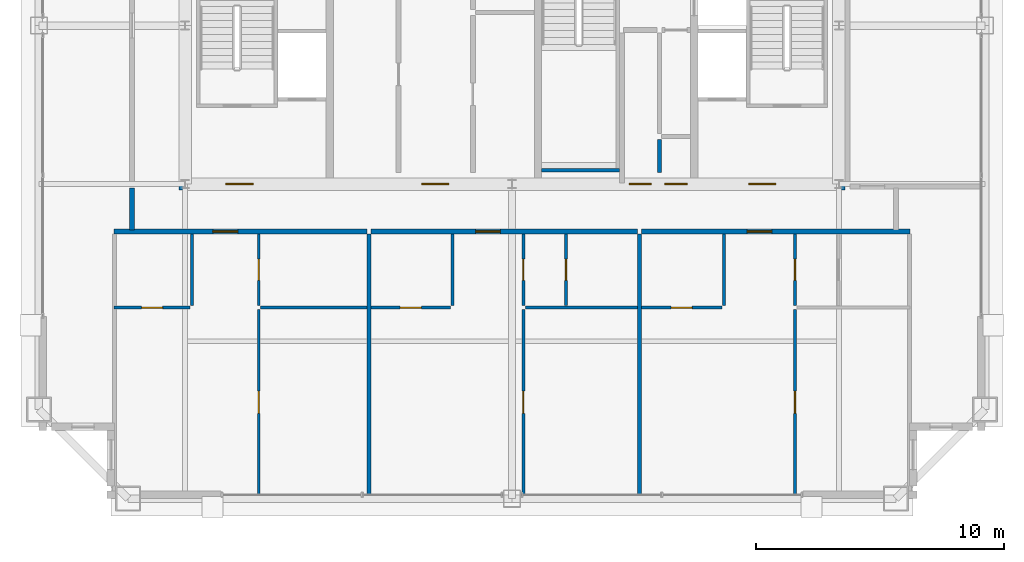
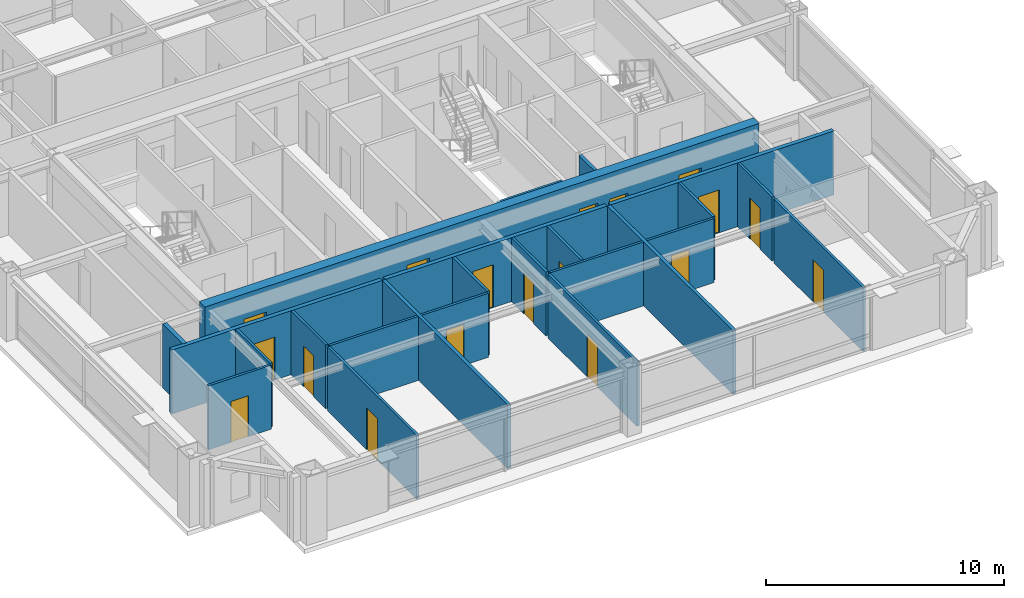
# One storey, part 30 of 35: 24 walls, 18 doors, 18 openings.
"""IFC4 building model written with IfcOpenShell, lengths in metres."""

from ifc_helpers import new_model, si_unit, direction, frame, frame_2d, origin, place, context, subcontext, project, spatial, rectangle, extrude, source, transform, mapped, material, layer, layer_set, type_object, element, fill, save


model = new_model("IFC4")

# Units and contexts
model_context = context("Model", 3, precision=1e-05, world=origin(), true_north=direction((0.0, 1.0)))
body_context = subcontext(model_context, "Body", "Model", "MODEL_VIEW")
ifc_project = project(units=[si_unit("LENGTHUNIT", "METRE"), si_unit("AREAUNIT", "SQUARE_METRE"), si_unit("VOLUMEUNIT", "CUBIC_METRE"), si_unit("PLANEANGLEUNIT", "RADIAN"), si_unit("MASSUNIT", "GRAM", prefix="KILO"), si_unit("THERMODYNAMICTEMPERATUREUNIT", "KELVIN"), si_unit("POWERUNIT", "WATT")], contexts=[model_context])

# Site, building, storey
site_placement = place(None, origin())
site = spatial("IfcSite", under=ifc_project, at=site_placement, CompositionType="ELEMENT")
building_placement = place(site_placement, origin())
building = spatial("IfcBuilding", under=site, at=building_placement, Name="Yuzanri Waterfront Tower", CompositionType="ELEMENT")
storey_placement = place(building_placement, frame((0.0, 0.0, 318.199951171875)))
storey = spatial("IfcBuildingStorey", under=building, at=storey_placement, Name="L85", CompositionType="ELEMENT", Elevation=318.199951171875)

# Wall, opening, door
ifc_material_1 = material(Name="Moisture-Resistant Gypsum Stud Wall", Category="gypsum")
ifc_layer_1 = layer(ifc_material_1, 0.1201171875)
ifc_layer_set_1 = layer_set([ifc_layer_1], Name="Moisture-Resistant Gypsum Stud Wall")
wall_type_1 = type_object("IfcWallType", Name="Bathroom and Kitchen Wet Partition 120", PredefinedType="PARTITIONING", material=ifc_layer_set_1)
wall_1_placement = place(storey_placement, frame((20.93994140625, 14.409912109375, 0.0), z_axis=(0.0, 0.0, 1.0), x_axis=(1.0, 0.0, 0.0)))
wall_1 = element("IfcWall", 1, at=wall_1_placement, inside=storey, type_object=wall_type_1, Name="L85 Partition UW-L85-HS1-SUB-1-S", PredefinedType="PARTITIONING", context=body_context, shape_type="SweptSolid", body=[
    extrude(rectangle(XDim=3.05908203125, YDim=0.1201171875, at=frame_2d((1.529541015625, 0.0))), origin(), (0.0, 0.0, 1.0), 3.280029296875),
])
opening_1_placement = place(wall_1_placement, frame((1.1044921875, 0.0, 0.0)))
opening_1 = element("IfcOpeningElement", 2, at=opening_1_placement, cuts=wall_1, Name="Opening ID-0850", PredefinedType="OPENING", context=body_context, shape_type="SweptSolid", body=[
    extrude(rectangle(XDim=0.85009765625, YDim=2.10009765625, at=frame_2d((0.425048828125, 1.050048828125))), frame((0.0, 0.074951171875, 0.0), z_axis=(0.0, -1.0, 0.0), x_axis=(1.0, 0.0, 0.0)), (0.0, 0.0, 1.0), 0.14990234375),
])
ifc_material_2 = material(Name="Moisture-Resistant Lacquered Timber", Category="wood")
door_type_1 = type_object("IfcDoorType", Name="En-Suite Bathroom and Kitchen Swing Door 850x2100", OperationType="NOTDEFINED", PredefinedType="DOOR", material=ifc_material_2)
shared_shape_1 = source(origin(), body_context, "Body", "SweptSolid", [
    extrude(rectangle(XDim=0.85009765625, YDim=2.10009765625, at=frame_2d((0.425048828125, 1.050048828125))), frame((0.0, 0.02490234375, 0.0), z_axis=(0.0, -1.0, 0.0), x_axis=(1.0, 0.0, 0.0)), (0.0, 0.0, 1.0), 0.050048828125),
])
door_1_placement = place(opening_1_placement, origin())
door_1 = element("IfcDoor", 3, at=door_1_placement, inside=storey, type_object=door_type_1, Name="L85 Suite Interior Room Door", OperationType="SINGLE_SWING_LEFT", OverallHeight=2.10009765625, OverallWidth=0.85009765625, PredefinedType="DOOR", context=body_context, shape_type="MappedRepresentation", body=[
    mapped(shared_shape_1, transform((0.0, 0.0, 0.0), scale=1.0)),
])
fill(opening_1, door_1)

wall_2_placement = place(storey_placement, frame((26.77490234375, 14.489990234375, 0.0), z_axis=(0.0, 0.0, 1.0), x_axis=(0.0, 1.0, 0.0)))
wall_2 = element("IfcWall", 4, at=wall_2_placement, inside=storey, type_object=wall_type_1, Name="L85 Partition UW-L85-HS1-SUB-2-W", PredefinedType="PARTITIONING", context=body_context, shape_type="SweptSolid", body=[
    extrude(rectangle(XDim=2.89990234375, YDim=0.1201171875, at=frame_2d((1.449951171875, 0.0))), origin(), (0.0, 0.0, 1.0), 3.280029296875),
])
opening_2_placement = place(wall_2_placement, frame((1.02490234375, 0.0, 0.0)))
opening_2 = element("IfcOpeningElement", 5, at=opening_2_placement, cuts=wall_2, Name="Opening ID-0850", PredefinedType="OPENING", context=body_context, shape_type="SweptSolid", body=[
    extrude(rectangle(XDim=0.85009765625, YDim=2.10009765625, at=frame_2d((0.425048828125, 1.050048828125))), frame((0.0, 0.074951171875, 0.0), z_axis=(0.0, -1.0, 0.0), x_axis=(1.0, 0.0, 0.0)), (0.0, 0.0, 1.0), 0.14990234375),
])
door_2_placement = place(opening_2_placement, origin())
door_2 = element("IfcDoor", 6, at=door_2_placement, inside=storey, type_object=door_type_1, Name="L85 Suite Interior Room Door", OperationType="SINGLE_SWING_RIGHT", OverallHeight=2.10009765625, OverallWidth=0.85009765625, PredefinedType="DOOR", context=body_context, shape_type="MappedRepresentation", body=[
    mapped(shared_shape_1, transform((0.0, 0.0, 0.0), scale=1.0)),
])
fill(opening_2, door_2)

wall_3_placement = place(storey_placement, frame((26.77490234375, 6.85009765625, 0.0), z_axis=(0.0, 0.0, 1.0), x_axis=(0.0, 1.0, 0.0)))
wall_3 = element("IfcWall", 7, at=wall_3_placement, inside=storey, type_object=wall_type_1, Name="L85 Partition UW-L85-HS1-SUB-3-W", PredefinedType="PARTITIONING", context=body_context, shape_type="SweptSolid", body=[
    extrude(rectangle(XDim=7.47998046875, YDim=0.1201171875, at=frame_2d((3.739990234375, 0.0))), origin(), (0.0, 0.0, 1.0), 3.280029296875),
])
opening_3_placement = place(wall_3_placement, frame((3.2900390625, 0.0, 0.0)))
opening_3 = element("IfcOpeningElement", 8, at=opening_3_placement, cuts=wall_3, Name="Opening ID-0900", PredefinedType="OPENING", context=body_context, shape_type="SweptSolid", body=[
    extrude(rectangle(XDim=0.89990234375, YDim=2.14990234375, at=frame_2d((0.449951171875, 1.074951171875))), frame((0.0, 0.074951171875, 0.0), z_axis=(0.0, -1.0, 0.0), x_axis=(1.0, 0.0, 0.0)), (0.0, 0.0, 1.0), 0.14990234375),
])
ifc_material_3 = material(Name="Stained Walnut Veneer Timber", Category="wood")
door_type_2 = type_object("IfcDoorType", Name="Bedroom and Study Interior Swing Door 900x2150", OperationType="NOTDEFINED", PredefinedType="DOOR", material=ifc_material_3)
shared_shape_2 = source(origin(), body_context, "Body", "SweptSolid", [
    extrude(rectangle(XDim=0.89990234375, YDim=2.14990234375, at=frame_2d((0.449951171875, 1.074951171875))), frame((0.0, 0.02490234375, 0.0), z_axis=(0.0, -1.0, 0.0), x_axis=(1.0, 0.0, 0.0)), (0.0, 0.0, 1.0), 0.050048828125),
])
door_3_placement = place(opening_3_placement, origin())
door_3 = element("IfcDoor", 9, at=door_3_placement, inside=storey, type_object=door_type_2, Name="L85 Suite Interior Room Door", OperationType="SINGLE_SWING_LEFT", OverallHeight=2.14990234375, OverallWidth=0.89990234375, PredefinedType="DOOR", context=body_context, shape_type="MappedRepresentation", body=[
    mapped(shared_shape_2, transform((0.0, 0.0, 0.0), scale=1.0)),
])
fill(opening_3, door_3)

wall_4_placement = place(storey_placement, frame((31.298095703125, 14.409912109375, 0.0), z_axis=(0.0, 0.0, 1.0), x_axis=(1.0, 0.0, 0.0)))
wall_4 = element("IfcWall", 10, at=wall_4_placement, inside=storey, type_object=wall_type_1, Name="L85 Partition UW-L85-HS2-SUB-1-S", PredefinedType="PARTITIONING", context=body_context, shape_type="SweptSolid", body=[
    extrude(rectangle(XDim=3.227783203125, YDim=0.1201171875, at=frame_2d((1.61376953125, 0.0))), origin(), (0.0, 0.0, 1.0), 3.280029296875),
])
opening_4_placement = place(wall_4_placement, frame((1.18896484375, 0.0, 0.0)))
opening_4 = element("IfcOpeningElement", 11, at=opening_4_placement, cuts=wall_4, Name="Opening ID-0850", PredefinedType="OPENING", context=body_context, shape_type="SweptSolid", body=[
    extrude(rectangle(XDim=0.85009765625, YDim=2.10009765625, at=frame_2d((0.425048828125, 1.050048828125))), frame((0.0, 0.074951171875, 0.0), z_axis=(0.0, -1.0, 0.0), x_axis=(1.0, 0.0, 0.0)), (0.0, 0.0, 1.0), 0.14990234375),
])
door_4_placement = place(opening_4_placement, origin())
door_4 = element("IfcDoor", 12, at=door_4_placement, inside=storey, type_object=door_type_1, Name="L85 Suite Interior Room Door", OperationType="SINGLE_SWING_LEFT", OverallHeight=2.10009765625, OverallWidth=0.85009765625, PredefinedType="DOOR", context=body_context, shape_type="MappedRepresentation", body=[
    mapped(shared_shape_1, transform((0.0, 0.0, 0.0), scale=1.0)),
])
fill(opening_4, door_4)

wall_5_placement = place(storey_placement, frame((39.178955078125, 14.489990234375, 0.0), z_axis=(0.0, 0.0, 1.0), x_axis=(0.0, 1.0, 0.0)))
wall_5 = element("IfcWall", 13, at=wall_5_placement, inside=storey, type_object=wall_type_1, Name="L85 Partition UW-L85-HS2-SUB-2-W", PredefinedType="PARTITIONING", context=body_context, shape_type="SweptSolid", body=[
    extrude(rectangle(XDim=2.89990234375, YDim=0.1201171875, at=frame_2d((1.449951171875, 0.0))), origin(), (0.0, 0.0, 1.0), 3.280029296875),
])
opening_5_placement = place(wall_5_placement, frame((1.02490234375, 0.0, 0.0)))
opening_5 = element("IfcOpeningElement", 14, at=opening_5_placement, cuts=wall_5, Name="Opening ID-0850", PredefinedType="OPENING", context=body_context, shape_type="SweptSolid", body=[
    extrude(rectangle(XDim=0.85009765625, YDim=2.10009765625, at=frame_2d((0.425048828125, 1.050048828125))), frame((0.0, 0.074951171875, 0.0), z_axis=(0.0, -1.0, 0.0), x_axis=(1.0, 0.0, 0.0)), (0.0, 0.0, 1.0), 0.14990234375),
])
door_5_placement = place(opening_5_placement, origin())
door_5 = element("IfcDoor", 15, at=door_5_placement, inside=storey, type_object=door_type_1, Name="L85 Suite Interior Room Door", OperationType="SINGLE_SWING_RIGHT", OverallHeight=2.10009765625, OverallWidth=0.85009765625, PredefinedType="DOOR", context=body_context, shape_type="MappedRepresentation", body=[
    mapped(shared_shape_1, transform((0.0, 0.0, 0.0), scale=1.0)),
])
fill(opening_5, door_5)

wall_6_placement = place(storey_placement, frame((37.458984375, 6.85009765625, 0.0), z_axis=(0.0, 0.0, 1.0), x_axis=(0.0, 1.0, 0.0)))
wall_6 = element("IfcWall", 16, at=wall_6_placement, inside=storey, type_object=wall_type_1, Name="L85 Partition UW-L85-HS2-SUB-3-W", PredefinedType="PARTITIONING", context=body_context, shape_type="SweptSolid", body=[
    extrude(rectangle(XDim=7.47998046875, YDim=0.1201171875, at=frame_2d((3.739990234375, 0.0))), origin(), (0.0, 0.0, 1.0), 3.280029296875),
])
opening_6_placement = place(wall_6_placement, frame((3.2900390625, 0.0, 0.0)))
opening_6 = element("IfcOpeningElement", 17, at=opening_6_placement, cuts=wall_6, Name="Opening ID-0900", PredefinedType="OPENING", context=body_context, shape_type="SweptSolid", body=[
    extrude(rectangle(XDim=0.89990234375, YDim=2.14990234375, at=frame_2d((0.449951171875, 1.074951171875))), frame((0.0, 0.074951171875, 0.0), z_axis=(0.0, -1.0, 0.0), x_axis=(1.0, 0.0, 0.0)), (0.0, 0.0, 1.0), 0.14990234375),
])
door_6_placement = place(opening_6_placement, origin())
door_6 = element("IfcDoor", 18, at=door_6_placement, inside=storey, type_object=door_type_2, Name="L85 Suite Interior Room Door", OperationType="SINGLE_SWING_LEFT", OverallHeight=2.14990234375, OverallWidth=0.89990234375, PredefinedType="DOOR", context=body_context, shape_type="MappedRepresentation", body=[
    mapped(shared_shape_2, transform((0.0, 0.0, 0.0), scale=1.0)),
])
fill(opening_6, door_6)

wall_7_placement = place(storey_placement, frame((37.458984375, 14.489990234375, 0.0), z_axis=(0.0, 0.0, 1.0), x_axis=(0.0, 1.0, 0.0)))
wall_7 = element("IfcWall", 19, at=wall_7_placement, inside=storey, type_object=wall_type_1, Name="L85 Partition UW-L85-HS2-SUB-4-W", PredefinedType="PARTITIONING", context=body_context, shape_type="SweptSolid", body=[
    extrude(rectangle(XDim=2.89990234375, YDim=0.1201171875, at=frame_2d((1.449951171875, 0.0))), origin(), (0.0, 0.0, 1.0), 3.280029296875),
])
opening_7_placement = place(wall_7_placement, frame((1.02490234375, 0.0, 0.0)))
opening_7 = element("IfcOpeningElement", 20, at=opening_7_placement, cuts=wall_7, Name="Opening ID-0850", PredefinedType="OPENING", context=body_context, shape_type="SweptSolid", body=[
    extrude(rectangle(XDim=0.85009765625, YDim=2.10009765625, at=frame_2d((0.425048828125, 1.050048828125))), frame((0.0, 0.074951171875, 0.0), z_axis=(0.0, -1.0, 0.0), x_axis=(1.0, 0.0, 0.0)), (0.0, 0.0, 1.0), 0.14990234375),
])
door_7_placement = place(opening_7_placement, origin())
door_7 = element("IfcDoor", 21, at=door_7_placement, inside=storey, type_object=door_type_1, Name="L85 Suite Interior Room Door", OperationType="SINGLE_SWING_RIGHT", OverallHeight=2.10009765625, OverallWidth=0.85009765625, PredefinedType="DOOR", context=body_context, shape_type="MappedRepresentation", body=[
    mapped(shared_shape_1, transform((0.0, 0.0, 0.0), scale=1.0)),
])
fill(opening_7, door_7)

wall_8_placement = place(storey_placement, frame((42.218994140625, 14.409912109375, 0.0), z_axis=(0.0, 0.0, 1.0), x_axis=(1.0, 0.0, 0.0)))
wall_8 = element("IfcWall", 22, at=wall_8_placement, inside=storey, type_object=wall_type_1, Name="L85 Partition UW-L85-HS3-SUB-1-S", PredefinedType="PARTITIONING", context=body_context, shape_type="SweptSolid", body=[
    extrude(rectangle(XDim=3.251953125, YDim=0.1201171875, at=frame_2d((1.6259765625, 0.0))), origin(), (0.0, 0.0, 1.0), 3.280029296875),
])
opening_8_placement = place(wall_8_placement, frame((1.200927734375, 0.0, 0.0)))
opening_8 = element("IfcOpeningElement", 23, at=opening_8_placement, cuts=wall_8, Name="Opening ID-0850", PredefinedType="OPENING", context=body_context, shape_type="SweptSolid", body=[
    extrude(rectangle(XDim=0.85009765625, YDim=2.10009765625, at=frame_2d((0.425048828125, 1.050048828125))), frame((0.0, 0.074951171875, 0.0), z_axis=(0.0, -1.0, 0.0), x_axis=(1.0, 0.0, 0.0)), (0.0, 0.0, 1.0), 0.14990234375),
])
door_8_placement = place(opening_8_placement, origin())
door_8 = element("IfcDoor", 24, at=door_8_placement, inside=storey, type_object=door_type_1, Name="L85 Suite Interior Room Door", OperationType="SINGLE_SWING_RIGHT", OverallHeight=2.10009765625, OverallWidth=0.85009765625, PredefinedType="DOOR", context=body_context, shape_type="MappedRepresentation", body=[
    mapped(shared_shape_1, transform((0.0, 0.0, 0.0), scale=1.0)),
])
fill(opening_8, door_8)

wall_9_placement = place(storey_placement, frame((48.427001953125, 6.85009765625, 0.0), z_axis=(0.0, 0.0, 1.0), x_axis=(0.0, 1.0, 0.0)))
wall_9 = element("IfcWall", 25, at=wall_9_placement, inside=storey, type_object=wall_type_1, Name="L85 Partition UW-L85-HS3-SUB-3-W", PredefinedType="PARTITIONING", context=body_context, shape_type="SweptSolid", body=[
    extrude(rectangle(XDim=7.47998046875, YDim=0.1201171875, at=frame_2d((3.739990234375, 0.0))), origin(), (0.0, 0.0, 1.0), 3.280029296875),
])
opening_9_placement = place(wall_9_placement, frame((3.2900390625, 0.0, 0.0)))
opening_9 = element("IfcOpeningElement", 26, at=opening_9_placement, cuts=wall_9, Name="Opening ID-0900", PredefinedType="OPENING", context=body_context, shape_type="SweptSolid", body=[
    extrude(rectangle(XDim=0.89990234375, YDim=2.14990234375, at=frame_2d((0.449951171875, 1.074951171875))), frame((0.0, 0.074951171875, 0.0), z_axis=(0.0, -1.0, 0.0), x_axis=(1.0, 0.0, 0.0)), (0.0, 0.0, 1.0), 0.14990234375),
])
door_9_placement = place(opening_9_placement, origin())
door_9 = element("IfcDoor", 27, at=door_9_placement, inside=storey, type_object=door_type_2, Name="L85 Suite Interior Room Door", OperationType="SINGLE_SWING_RIGHT", OverallHeight=2.14990234375, OverallWidth=0.89990234375, PredefinedType="DOOR", context=body_context, shape_type="MappedRepresentation", body=[
    mapped(shared_shape_2, transform((0.0, 0.0, 0.0), scale=1.0)),
])
fill(opening_9, door_9)

wall_10_placement = place(storey_placement, frame((48.427001953125, 14.489990234375, 0.0), z_axis=(0.0, 0.0, 1.0), x_axis=(0.0, 1.0, 0.0)))
wall_10 = element("IfcWall", 28, at=wall_10_placement, inside=storey, type_object=wall_type_1, Name="L85 Partition UW-L85-HS3-SUB-4-W", PredefinedType="PARTITIONING", context=body_context, shape_type="SweptSolid", body=[
    extrude(rectangle(XDim=2.89990234375, YDim=0.1201171875, at=frame_2d((1.449951171875, 0.0))), origin(), (0.0, 0.0, 1.0), 3.280029296875),
])
opening_10_placement = place(wall_10_placement, frame((1.02490234375, 0.0, 0.0)))
opening_10 = element("IfcOpeningElement", 29, at=opening_10_placement, cuts=wall_10, Name="Opening ID-0850", PredefinedType="OPENING", context=body_context, shape_type="SweptSolid", body=[
    extrude(rectangle(XDim=0.85009765625, YDim=2.10009765625, at=frame_2d((0.425048828125, 1.050048828125))), frame((0.0, 0.074951171875, 0.0), z_axis=(0.0, -1.0, 0.0), x_axis=(1.0, 0.0, 0.0)), (0.0, 0.0, 1.0), 0.14990234375),
])
door_10_placement = place(opening_10_placement, origin())
door_10 = element("IfcDoor", 30, at=door_10_placement, inside=storey, type_object=door_type_1, Name="L85 Suite Interior Room Door", OperationType="SINGLE_SWING_LEFT", OverallHeight=2.10009765625, OverallWidth=0.85009765625, PredefinedType="DOOR", context=body_context, shape_type="MappedRepresentation", body=[
    mapped(shared_shape_1, transform((0.0, 0.0, 0.0), scale=1.0)),
])
fill(opening_10, door_10)

# Wall, openings, doors
ifc_material_4 = material(Name="Concrete C45", Category="concrete")
ifc_layer_2 = layer(ifc_material_4, 0.47998046875)
ifc_layer_set_2 = layer_set([ifc_layer_2], Name="Concrete C45")
wall_type_2 = type_object("IfcWallType", Name="Concrete C45 High-Rise Core Shear Wall 480", PredefinedType="SHEAR", material=ifc_layer_set_2)
wall_11_placement = place(storey_placement, frame((23.56005859375, 19.39990234375, 0.0), z_axis=(0.0, 0.0, 1.0), x_axis=(1.0, 0.0, 0.0)))
wall_11 = element("IfcWall", 31, at=wall_11_placement, inside=storey, type_object=wall_type_2, Name="L85 Core South Shear Wall", PredefinedType="SHEAR", context=body_context, shape_type="SweptSolid", body=[
    extrude(rectangle(XDim=26.8798828125, YDim=0.47998046875, at=frame_2d((13.43994140625, 0.0))), origin(), (0.0, 0.0, 1.0), 3.5),
])
opening_11_placement = place(wall_11_placement, frame((1.889892578125, 0.0, 0.0)))
opening_11 = element("IfcOpeningElement", 32, at=opening_11_placement, cuts=wall_11, Name="Opening FD-1100", PredefinedType="OPENING", context=body_context, shape_type="SweptSolid", body=[
    extrude(rectangle(XDim=1.10009765625, YDim=2.199951171875, at=frame_2d((0.550048828125, 1.10009765625))), frame((0.0, 0.2548828125, 0.0), z_axis=(0.0, -1.0, 0.0), x_axis=(1.0, 0.0, 0.0)), (0.0, 0.0, 1.0), 0.509765625),
])
opening_12_placement = place(wall_11_placement, frame((9.7900390625, 0.0, 0.0)))
opening_12 = element("IfcOpeningElement", 33, at=opening_12_placement, cuts=wall_11, Name="Opening FD-1100", PredefinedType="OPENING", context=body_context, shape_type="SweptSolid", body=[
    extrude(rectangle(XDim=1.10009765625, YDim=2.199951171875, at=frame_2d((0.550048828125, 1.10009765625))), frame((0.0, 0.2548828125, 0.0), z_axis=(0.0, -1.0, 0.0), x_axis=(1.0, 0.0, 0.0)), (0.0, 0.0, 1.0), 0.509765625),
])
opening_13_placement = place(wall_11_placement, frame((22.989990234375, 0.0, 0.0)))
opening_13 = element("IfcOpeningElement", 34, at=opening_13_placement, cuts=wall_11, Name="Opening FD-1100", PredefinedType="OPENING", context=body_context, shape_type="SweptSolid", body=[
    extrude(rectangle(XDim=1.10009765625, YDim=2.199951171875, at=frame_2d((0.550048828125, 1.10009765625))), frame((0.0, 0.2548828125, 0.0), z_axis=(0.0, -1.0, 0.0), x_axis=(1.0, 0.0, 0.0)), (0.0, 0.0, 1.0), 0.509765625),
])
opening_14_placement = place(wall_11_placement, frame((19.610107421875, 0.0, 0.0)))
opening_14 = element("IfcOpeningElement", 35, at=opening_14_placement, cuts=wall_11, Name="Opening FD-0900", PredefinedType="OPENING", context=body_context, shape_type="SweptSolid", body=[
    extrude(rectangle(XDim=0.89990234375, YDim=2.14990234375, at=frame_2d((0.449951171875, 1.074951171875))), frame((0.0, 0.2548828125, 0.0), z_axis=(0.0, -1.0, 0.0), x_axis=(1.0, 0.0, 0.0)), (0.0, 0.0, 1.0), 0.509765625),
])
opening_15_placement = place(wall_11_placement, frame((18.169921875, 0.0, 0.0)))
opening_15 = element("IfcOpeningElement", 36, at=opening_15_placement, cuts=wall_11, Name="Opening FD-0900", PredefinedType="OPENING", context=body_context, shape_type="SweptSolid", body=[
    extrude(rectangle(XDim=0.89990234375, YDim=2.14990234375, at=frame_2d((0.449951171875, 1.074951171875))), frame((0.0, 0.2548828125, 0.0), z_axis=(0.0, -1.0, 0.0), x_axis=(1.0, 0.0, 0.0)), (0.0, 0.0, 1.0), 0.509765625),
])
ifc_material_5 = material(Name="Painted Galvanized Fire Steel", Category="steel")
door_type_3 = type_object("IfcDoorType", Name="Smoke-Proof Stair and Lobby Fire Door 1100x2200", OperationType="NOTDEFINED", PredefinedType="DOOR", material=ifc_material_5)
shared_shape_3 = source(origin(), body_context, "Body", "SweptSolid", [
    extrude(rectangle(XDim=1.10009765625, YDim=2.199951171875, at=frame_2d((0.550048828125, 1.10009765625))), frame((0.0, 0.02490234375, 0.0), z_axis=(0.0, -1.0, 0.0), x_axis=(1.0, 0.0, 0.0)), (0.0, 0.0, 1.0), 0.050048828125),
])
door_11_placement = place(opening_11_placement, origin())
door_11 = element("IfcDoor", 37, at=door_11_placement, inside=storey, type_object=door_type_3, Name="L85 West Firefighting Lobby Door", OperationType="SINGLE_SWING_LEFT", OverallHeight=2.199951171875, OverallWidth=1.10009765625, PredefinedType="DOOR", context=body_context, shape_type="MappedRepresentation", body=[
    mapped(shared_shape_3, transform((0.0, 0.0, 0.0), scale=1.0)),
])
fill(opening_11, door_11)
door_12_placement = place(opening_12_placement, origin())
door_12 = element("IfcDoor", 38, at=door_12_placement, inside=storey, type_object=door_type_3, Name="L85 Central Lift Lobby South Door", OperationType="SINGLE_SWING_RIGHT", OverallHeight=2.199951171875, OverallWidth=1.10009765625, PredefinedType="DOOR", context=body_context, shape_type="MappedRepresentation", body=[
    mapped(shared_shape_3, transform((0.0, 0.0, 0.0), scale=1.0)),
])
fill(opening_12, door_12)
door_13_placement = place(opening_13_placement, origin())
door_13 = element("IfcDoor", 39, at=door_13_placement, inside=storey, type_object=door_type_3, Name="L85 East Firefighting Lobby Door", OperationType="SINGLE_SWING_LEFT", OverallHeight=2.199951171875, OverallWidth=1.10009765625, PredefinedType="DOOR", context=body_context, shape_type="MappedRepresentation", body=[
    mapped(shared_shape_3, transform((0.0, 0.0, 0.0), scale=1.0)),
])
fill(opening_13, door_13)
ifc_material_6 = material(Name="Painted Galvanized Fire Steel", Category="steel")
door_type_4 = type_object("IfcDoorType", Name="Riser and Service Room Fire Door 900x2150", OperationType="NOTDEFINED", PredefinedType="DOOR", material=ifc_material_6)
shared_shape_4 = source(origin(), body_context, "Body", "SweptSolid", [
    extrude(rectangle(XDim=0.89990234375, YDim=2.14990234375, at=frame_2d((0.449951171875, 1.074951171875))), frame((0.0, 0.02490234375, 0.0), z_axis=(0.0, -1.0, 0.0), x_axis=(1.0, 0.0, 0.0)), (0.0, 0.0, 1.0), 0.050048828125),
])
door_14_placement = place(opening_14_placement, origin())
door_14 = element("IfcDoor", 40, at=door_14_placement, inside=storey, type_object=door_type_4, Name="L85 East Wet Riser Door", OperationType="SINGLE_SWING_LEFT", OverallHeight=2.14990234375, OverallWidth=0.89990234375, PredefinedType="DOOR", context=body_context, shape_type="MappedRepresentation", body=[
    mapped(shared_shape_4, transform((0.0, 0.0, 0.0), scale=1.0)),
])
fill(opening_14, door_14)
door_15_placement = place(opening_15_placement, origin())
door_15 = element("IfcDoor", 41, at=door_15_placement, inside=storey, type_object=door_type_4, Name="L85 Cleaners Store Room", OperationType="SINGLE_SWING_RIGHT", OverallHeight=2.14990234375, OverallWidth=0.89990234375, PredefinedType="DOOR", context=body_context, shape_type="MappedRepresentation", body=[
    mapped(shared_shape_4, transform((0.0, 0.0, 0.0), scale=1.0)),
])
fill(opening_15, door_15)

# Wall, opening, door
ifc_material_7 = material(Name="Autoclaved Aerated Concrete Blockwork", Category="masonry")
ifc_layer_3 = layer(ifc_material_7, 0.199951171875)
ifc_layer_set_3 = layer_set([ifc_layer_3], Name="Autoclaved Aerated Concrete Blockwork")
wall_type_3 = type_object("IfcWallType", Name="Corridor and Unit Party Fire Wall 200", PredefinedType="PARTITIONING", material=ifc_layer_set_3)
wall_12_placement = place(storey_placement, frame((20.93994140625, 17.489990234375, 0.0), z_axis=(0.0, 0.0, 1.0), x_axis=(1.0, 0.0, 0.0)))
wall_12 = element("IfcWall", 42, at=wall_12_placement, inside=storey, type_object=wall_type_3, Name="L85 Partition UW-L85-HS1-CN", PredefinedType="PARTITIONING", context=body_context, shape_type="SweptSolid", body=[
    extrude(rectangle(XDim=10.197998046875, YDim=0.199951171875, at=frame_2d((5.09912109375, 0.0))), origin(), (0.0, 0.0, 1.0), 3.280029296875),
])
opening_16_placement = place(wall_12_placement, frame((3.987060546875, 0.0, 0.0)))
opening_16 = element("IfcOpeningElement", 43, at=opening_16_placement, cuts=wall_12, Name="Opening FD-1000", PredefinedType="OPENING", context=body_context, shape_type="SweptSolid", body=[
    extrude(rectangle(XDim=1.0, YDim=2.199951171875, at=frame_2d((0.5, 1.10009765625))), frame((0.0, 0.11474609375, 0.0), z_axis=(0.0, -1.0, 0.0), x_axis=(1.0, 0.0, 0.0)), (0.0, 0.0, 1.0), 0.229736328125),
])
ifc_material_8 = material(Name="Engineered Oak Fire-Rated Timber", Category="wood")
door_type_5 = type_object("IfcDoorType", Name="Guestroom and Apartment Entrance Fire Door 1000x2200", OperationType="NOTDEFINED", PredefinedType="DOOR", material=ifc_material_8)
shared_shape_5 = source(origin(), body_context, "Body", "SweptSolid", [
    extrude(rectangle(XDim=1.0, YDim=2.199951171875, at=frame_2d((0.5, 1.10009765625))), frame((0.0, 0.02490234375, 0.0), z_axis=(0.0, -1.0, 0.0), x_axis=(1.0, 0.0, 0.0)), (0.0, 0.0, 1.0), 0.050048828125),
])
door_16_placement = place(opening_16_placement, origin())
door_16 = element("IfcDoor", 44, at=door_16_placement, inside=storey, type_object=door_type_5, Name="L85 Apartment Living Room Entrance Door", OperationType="SINGLE_SWING_RIGHT", OverallHeight=2.199951171875, OverallWidth=1.0, PredefinedType="DOOR", context=body_context, shape_type="MappedRepresentation", body=[
    mapped(shared_shape_5, transform((0.0, 0.0, 0.0), scale=1.0)),
])
fill(opening_16, door_16)

wall_13_placement = place(storey_placement, frame((31.298095703125, 17.489990234375, 0.0), z_axis=(0.0, 0.0, 1.0), x_axis=(1.0, 0.0, 0.0)))
wall_13 = element("IfcWall", 45, at=wall_13_placement, inside=storey, type_object=wall_type_3, Name="L85 Partition UW-L85-HS2-CN", PredefinedType="PARTITIONING", context=body_context, shape_type="SweptSolid", body=[
    extrude(rectangle(XDim=10.760986328125, YDim=0.199951171875, at=frame_2d((5.38037109375, 0.0))), origin(), (0.0, 0.0, 1.0), 3.280029296875),
])
opening_17_placement = place(wall_13_placement, frame((4.23388671875, 0.0, 0.0)))
opening_17 = element("IfcOpeningElement", 46, at=opening_17_placement, cuts=wall_13, Name="Opening FD-1000", PredefinedType="OPENING", context=body_context, shape_type="SweptSolid", body=[
    extrude(rectangle(XDim=1.0, YDim=2.199951171875, at=frame_2d((0.5, 1.10009765625))), frame((0.0, 0.11474609375, 0.0), z_axis=(0.0, -1.0, 0.0), x_axis=(1.0, 0.0, 0.0)), (0.0, 0.0, 1.0), 0.229736328125),
])
door_17_placement = place(opening_17_placement, origin())
door_17 = element("IfcDoor", 47, at=door_17_placement, inside=storey, type_object=door_type_5, Name="L85 Apartment Living Room Entrance Door", OperationType="SINGLE_SWING_RIGHT", OverallHeight=2.199951171875, OverallWidth=1.0, PredefinedType="DOOR", context=body_context, shape_type="MappedRepresentation", body=[
    mapped(shared_shape_5, transform((0.0, 0.0, 0.0), scale=1.0)),
])
fill(opening_17, door_17)

wall_14_placement = place(storey_placement, frame((42.218994140625, 17.489990234375, 0.0), z_axis=(0.0, 0.0, 1.0), x_axis=(1.0, 0.0, 0.0)))
wall_14 = element("IfcWall", 48, at=wall_14_placement, inside=storey, type_object=wall_type_3, Name="L85 Partition UW-L85-HS3-CN", PredefinedType="PARTITIONING", context=body_context, shape_type="SweptSolid", body=[
    extrude(rectangle(XDim=10.841064453125, YDim=0.199951171875, at=frame_2d((5.42041015625, 0.0))), origin(), (0.0, 0.0, 1.0), 3.280029296875),
])
opening_18_placement = place(wall_14_placement, frame((4.27001953125, 0.0, 0.0)))
opening_18 = element("IfcOpeningElement", 49, at=opening_18_placement, cuts=wall_14, Name="Opening FD-1000", PredefinedType="OPENING", context=body_context, shape_type="SweptSolid", body=[
    extrude(rectangle(XDim=1.0, YDim=2.199951171875, at=frame_2d((0.5, 1.10009765625))), frame((0.0, 0.11474609375, 0.0), z_axis=(0.0, -1.0, 0.0), x_axis=(1.0, 0.0, 0.0)), (0.0, 0.0, 1.0), 0.229736328125),
])
door_18_placement = place(opening_18_placement, origin())
door_18 = element("IfcDoor", 50, at=door_18_placement, inside=storey, type_object=door_type_5, Name="L85 Apartment Living Room Entrance Door", OperationType="SINGLE_SWING_LEFT", OverallHeight=2.199951171875, OverallWidth=1.0, PredefinedType="DOOR", context=body_context, shape_type="MappedRepresentation", body=[
    mapped(shared_shape_5, transform((0.0, 0.0, 0.0), scale=1.0)),
])
fill(opening_18, door_18)

# Walls
ifc_material_9 = material(Name="Concrete C40", Category="concrete")
ifc_layer_4 = layer(ifc_material_9, 0.139892578125)
ifc_layer_set_4 = layer_set([ifc_layer_4], Name="Concrete C40")
wall_type_4 = type_object("IfcWallType", Name="Core Stair Liner and Hoistway Shaft Wall 140", PredefinedType="SOLIDWALL", material=ifc_layer_set_4)
shared_shape_6 = source(origin(), body_context, "Body", "SweptSolid", [
    extrude(rectangle(XDim=3.14013671875, YDim=0.139892578125, at=frame_2d((1.570068359375, 0.0))), origin(), (0.0, 0.0, 1.0), 3.280029296875),
])
wall_15_placement = place(storey_placement, frame((38.199951171875, 19.949951171875, 0.0), z_axis=(0.0, 0.0, 1.0), x_axis=(1.0, 0.0, 0.0)))
element("IfcWall", 51, at=wall_15_placement, inside=storey, type_object=wall_type_4, Name="L85 Stair ST-03 South Shaft Wall", PredefinedType="SOLIDWALL", context=body_context, shape_type="MappedRepresentation", body=[
    mapped(shared_shape_6, transform((0.0, 0.0, 0.0), scale=1.0)),
])
ifc_material_10 = material(Name="Gypsum Fireboard Acoustic Stud Wall", Category="gypsum")
ifc_layer_5 = layer(ifc_material_10, 0.159912109375)
ifc_layer_set_5 = layer_set([ifc_layer_5], Name="Gypsum Fireboard Acoustic Stud Wall")
wall_type_5 = type_object("IfcWallType", Name="Acoustic Suite Demising Partition 160", PredefinedType="PARTITIONING", material=ifc_layer_set_5)
shared_shape_7 = source(origin(), body_context, "Body", "SweptSolid", [
    extrude(rectangle(XDim=1.33984375, YDim=0.159912109375, at=frame_2d((0.669921875, 0.0))), origin(), (0.0, 0.0, 1.0), 3.280029296875),
])
wall_16_placement = place(storey_placement, frame((42.949951171875, 19.860107421875, 0.0), z_axis=(0.0, 0.0, 1.0), x_axis=(0.0, 1.0, 0.0)))
element("IfcWall", 52, at=wall_16_placement, inside=storey, type_object=wall_type_5, Name="L85 East Wet Riser West Wall", PredefinedType="PARTITIONING", context=body_context, shape_type="MappedRepresentation", body=[
    mapped(shared_shape_7, transform((0.0, 0.0, 0.0), scale=1.0)),
])
shared_shape_8 = source(origin(), body_context, "Body", "SweptSolid", [
    extrude(rectangle(XDim=1.699951171875, YDim=0.199951171875, at=frame_2d((0.85009765625, 0.0))), origin(), (0.0, 0.0, 1.0), 3.280029296875),
])
wall_17_placement = place(storey_placement, frame((21.64990234375, 17.550048828125, 0.0), z_axis=(0.0, 0.0, 1.0), x_axis=(0.0, 1.0, 0.0)))
element("IfcWall", 53, at=wall_17_placement, inside=storey, type_object=wall_type_3, Name="L85 South Foyer West End Wall", PredefinedType="PARTITIONING", context=body_context, shape_type="MappedRepresentation", body=[
    mapped(shared_shape_8, transform((0.0, 0.0, 0.0), scale=1.0)),
])
shared_shape_9 = source(origin(), body_context, "Body", "SweptSolid", [
    extrude(rectangle(XDim=10.539794921875, YDim=0.159912109375, at=frame_2d((5.27001953125, 0.0))), origin(), (0.0, 0.0, 1.0), 3.280029296875),
])
for number, where, z_axis, x_axis, name in (
    (54, (31.218017578125, 6.85009765625, 0.0), (0.0, 0.0, 1.0), (0.0, 1.0, 0.0), "L85-HS1 Party Wall"),
    (55, (42.138916015625, 6.85009765625, 0.0), (0.0, 0.0, 1.0), (0.0, 1.0, 0.0), "L85-HS2 Party Wall"),
):
    element("IfcWall", number, at=place(storey_placement, frame(where, z_axis=z_axis, x_axis=x_axis)), inside=storey, type_object=wall_type_5, Name=name, PredefinedType="PARTITIONING", context=body_context, shape_type="MappedRepresentation", body=[
        mapped(shared_shape_9, transform((0.0, 0.0, 0.0), scale=1.0)),
    ])
shared_shape_10 = source(origin(), body_context, "Body", "SweptSolid", [
    extrude(rectangle(XDim=2.89990234375, YDim=0.1201171875, at=frame_2d((1.449951171875, 0.0))), origin(), (0.0, 0.0, 1.0), 3.280029296875),
])
for number, where, z_axis, x_axis, name in (
    (56, (24.0791015625, 14.489990234375, 0.0), (0.0, 0.0, 1.0), (0.0, 1.0, 0.0), "L85 Partition UW-L85-HS1-SUB-1-E"),
    (57, (34.60595703125, 14.489990234375, 0.0), (0.0, 0.0, 1.0), (0.0, 1.0, 0.0), "L85 Partition UW-L85-HS2-SUB-1-E"),
    (58, (45.551025390625, 14.489990234375, 0.0), (0.0, 0.0, 1.0), (0.0, 1.0, 0.0), "L85 Partition UW-L85-HS3-SUB-1-E"),
):
    element("IfcWall", number, at=place(storey_placement, frame(where, z_axis=z_axis, x_axis=x_axis)), inside=storey, type_object=wall_type_1, Name=name, PredefinedType="PARTITIONING", context=body_context, shape_type="MappedRepresentation", body=[
        mapped(shared_shape_10, transform((0.0, 0.0, 0.0), scale=1.0)),
    ])
shared_shape_11 = source(origin(), body_context, "Body", "SweptSolid", [
    extrude(rectangle(XDim=4.282958984375, YDim=0.1201171875, at=frame_2d((2.1416015625, 0.0))), origin(), (0.0, 0.0, 1.0), 3.280029296875),
])
wall_18_placement = place(storey_placement, frame((26.85498046875, 14.409912109375, 0.0), z_axis=(0.0, 0.0, 1.0), x_axis=(1.0, 0.0, 0.0)))
element("IfcWall", 59, at=wall_18_placement, inside=storey, type_object=wall_type_1, Name="L85 Partition UW-L85-HS1-SUB-2-S", PredefinedType="PARTITIONING", context=body_context, shape_type="MappedRepresentation", body=[
    mapped(shared_shape_11, transform((0.0, 0.0, 0.0), scale=1.0)),
])
shared_shape_12 = source(origin(), body_context, "Body", "SweptSolid", [
    extrude(rectangle(XDim=4.52001953125, YDim=0.1201171875, at=frame_2d((2.260009765625, 0.0))), origin(), (0.0, 0.0, 1.0), 3.280029296875),
])
wall_19_placement = place(storey_placement, frame((37.5390625, 14.409912109375, 0.0), z_axis=(0.0, 0.0, 1.0), x_axis=(1.0, 0.0, 0.0)))
element("IfcWall", 60, at=wall_19_placement, inside=storey, type_object=wall_type_1, Name="L85 Partition UW-L85-HS2-SUB-3-N", PredefinedType="PARTITIONING", context=body_context, shape_type="MappedRepresentation", body=[
    mapped(shared_shape_12, transform((0.0, 0.0, 0.0), scale=1.0)),
])

save(model, "model.ifc")
